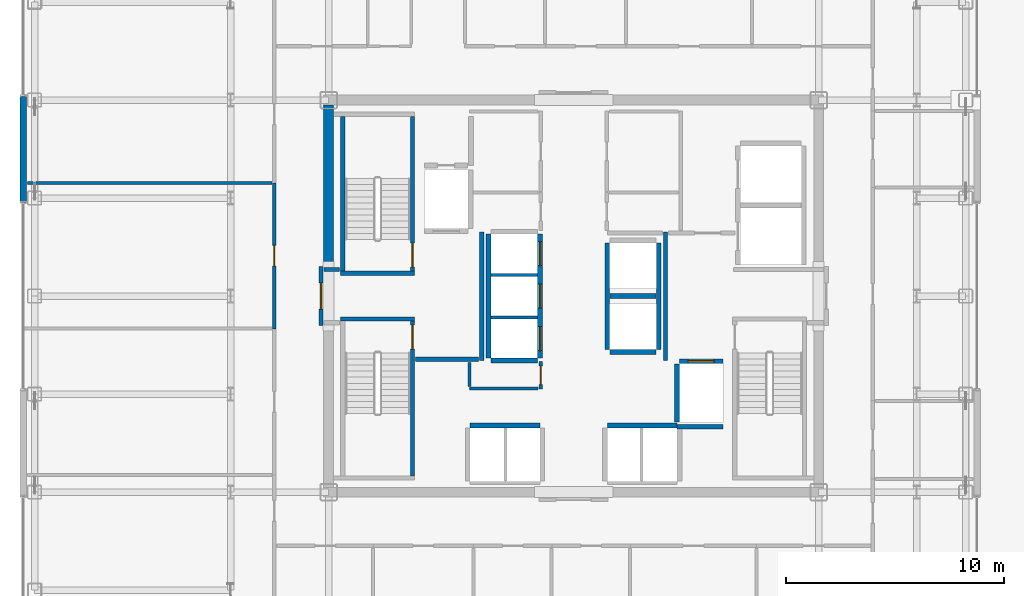
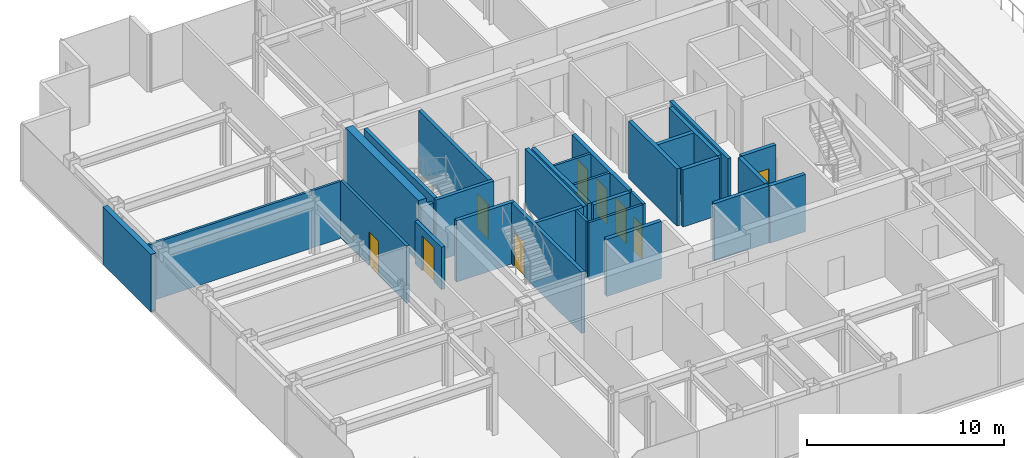
# One storey, part 12 of 17: 31 walls, 9 doors, 9 openings.
"""IFC4 building model written with IfcOpenShell, lengths in metres."""

from ifc_helpers import new_model, si_unit, direction, frame, frame_2d, origin, place, context, subcontext, project, spatial, rectangle, extrude, source, transform, mapped, material, layer, layer_set, type_object, element, fill, save


model = new_model("IFC4")

# Units and contexts
model_context = context("Model", 3, precision=1e-05, world=origin(), true_north=direction((0.0, 1.0)))
body_context = subcontext(model_context, "Body", "Model", "MODEL_VIEW")
ifc_project = project(units=[si_unit("LENGTHUNIT", "METRE"), si_unit("AREAUNIT", "SQUARE_METRE"), si_unit("VOLUMEUNIT", "CUBIC_METRE"), si_unit("PLANEANGLEUNIT", "RADIAN"), si_unit("MASSUNIT", "GRAM", prefix="KILO")], contexts=[model_context])

# Site, building, storey
site_placement = place(None, origin())
site = spatial("IfcSite", under=ifc_project, at=site_placement, CompositionType="ELEMENT")
building_placement = place(site_placement, origin())
building = spatial("IfcBuilding", under=site, at=building_placement, Name="Nefas-Gora Pilgrimage Tower", CompositionType="ELEMENT")
storey_placement = place(building_placement, frame((0.0, 0.0, 264.60009765625)))
storey = spatial("IfcBuildingStorey", under=building, at=storey_placement, Name="L66", CompositionType="ELEMENT", Elevation=264.60009765625)

# Walls
ifc_material_1 = material(Name="Concrete C50/60", Category="concrete")
ifc_layer_1 = layer(ifc_material_1, 0.449951171875)
ifc_layer_set_1 = layer_set([ifc_layer_1], Name="Concrete C50/60")
wall_type_1 = type_object("IfcWallType", Name="SW-CORE-450", PredefinedType="SHEAR", material=ifc_layer_set_1)
shared_shape_1 = source(origin(), body_context, "Body", "SweptSolid", [
    extrude(rectangle(XDim=7.4248046875, YDim=0.449951171875, at=frame_2d((3.71240234375, 0.0))), origin(), (0.0, 0.0, 1.0), 3.7998046875),
])
wall_1_placement = place(storey_placement, frame((-11.25, 1.35009765625, 0.0), z_axis=(0.0, 0.0, 1.0), x_axis=(0.0, 1.0, 0.0)))
element("IfcWall", 1, at=wall_1_placement, inside=storey, type_object=wall_type_1, Name="L66 Core Shear Wall W-North", PredefinedType="SHEAR", context=body_context, shape_type="MappedRepresentation", body=[
    mapped(shared_shape_1, transform((0.0, 0.0, 0.0), x_axis=(1.0, 0.0, 0.0), y_axis=(0.0, 1.0, 0.0), z_axis=(0.0, 0.0, 1.0), scale=1.0)),
])
ifc_material_2 = material(Name="Precast concrete C45/55", Category="concrete")
ifc_layer_2 = layer(ifc_material_2, 0.239990234375)
ifc_layer_set_2 = layer_set([ifc_layer_2], Name="Precast concrete C45/55")
wall_type_2 = type_object("IfcWallType", Name="EW-SERR-240", PredefinedType="SHEAR", material=ifc_layer_set_2)
shared_shape_2 = source(origin(), body_context, "Body", "SweptSolid", [
    extrude(rectangle(XDim=4.8798828125, YDim=0.300048828125, at=frame_2d((2.43994140625, 0.0))), origin(), (0.0, 0.0, 1.0), 3.5498046875),
])
wall_2_placement = place(storey_placement, frame((-25.27001953125, 4.31005859375, 0.0), z_axis=(0.0, 0.0, 1.0), x_axis=(0.0, 1.0, 0.0)))
element("IfcWall", 2, at=wall_2_placement, inside=storey, type_object=wall_type_2, Name="L66 Braced-Tube Precast Shear Cladding 2", PredefinedType="SHEAR", context=body_context, shape_type="MappedRepresentation", body=[
    mapped(shared_shape_2, transform((0.0, 0.0, 0.0), x_axis=(1.0, 0.0, 0.0), y_axis=(0.0, 1.0, 0.0), z_axis=(0.0, 0.0, 1.0), scale=1.0)),
])
ifc_material_3 = material(Name="Concrete C45/55", Category="concrete")
ifc_layer_3 = layer(ifc_material_3, 0.199951171875)
ifc_layer_set_3 = layer_set([ifc_layer_3], Name="Concrete C45/55")
wall_type_3 = type_object("IfcWallType", Name="IW-STAIR-200", PredefinedType="SOLIDWALL", material=ifc_layer_set_3)
shared_shape_3 = source(origin(), body_context, "Body", "SweptSolid", [
    extrude(rectangle(XDim=3.39990234375, YDim=0.199951171875, at=frame_2d((1.699951171875, 0.0))), origin(), (0.0, 0.0, 1.0), 3.7998046875),
])
for number, where, z_axis, x_axis, name in (
    (3, (-7.300048828125, 1.050048828125, 0.0), (0.0, 0.0, 1.0), (-1.0, 0.0, 0.0), "L66 Stairwell Shear Wall ST-01-near"),
    (4, (-10.699951171875, -1.050048828125, 0.0), (0.0, 0.0, 1.0), (1.0, 0.0, 0.0), "L66 Stairwell Shear Wall ST-03-near"),
):
    element("IfcWall", number, at=place(storey_placement, frame(where, z_axis=z_axis, x_axis=x_axis)), inside=storey, type_object=wall_type_3, Name=name, PredefinedType="SOLIDWALL", context=body_context, shape_type="MappedRepresentation", body=[
        mapped(shared_shape_3, transform((0.0, 0.0, 0.0), x_axis=(1.0, 0.0, 0.0), y_axis=(0.0, 1.0, 0.0), z_axis=(0.0, 0.0, 1.0), scale=1.0)),
    ])

# Wall, opening, door
shared_shape_4 = source(origin(), body_context, "Body", "SweptSolid", [
    extrude(rectangle(XDim=7.10009765625, YDim=0.199951171875, at=frame_2d((3.550048828125, 0.0))), origin(), (0.0, 0.0, 1.0), 3.7998046875),
])
wall_3_placement = place(storey_placement, frame((-7.39990234375, 1.14990234375, 0.0), z_axis=(0.0, 0.0, 1.0), x_axis=(0.0, 1.0, 0.0)))
wall_3 = element("IfcWall", 5, at=wall_3_placement, inside=storey, type_object=wall_type_3, Name="L66 Stairwell Shear Wall ST-01-left", PredefinedType="SOLIDWALL", context=body_context, shape_type="MappedRepresentation", body=[
    mapped(shared_shape_4, transform((0.0, 0.0, 0.0), x_axis=(1.0, 0.0, 0.0), y_axis=(0.0, 1.0, 0.0), z_axis=(0.0, 0.0, 1.0), scale=1.0)),
])
opening_1_placement = place(wall_3_placement, frame((0.179931640625, 0.0, 0.0)))
opening_1 = element("IfcOpeningElement", 6, at=opening_1_placement, cuts=wall_3, Name="Opening ID-ST1", PredefinedType="OPENING", context=body_context, shape_type="SweptSolid", body=[
    extrude(rectangle(XDim=1.10009765625, YDim=2.14990234375, at=frame_2d((0.550048828125, 1.074951171875))), frame((0.0, 0.10986328125, 0.0), z_axis=(0.0, -1.0, 0.0), x_axis=(1.0, 0.0, 0.0)), (0.0, 0.0, 1.0), 0.219970703125),
])
ifc_material_4 = material(Name="Painted galvanised steel fire stair door", Category="steel")
door_type_1 = type_object("IfcDoorType", Name="DR-INT-STAIR-1100", OperationType="NOTDEFINED", PredefinedType="DOOR", material=ifc_material_4)
shared_shape_5 = source(origin(), body_context, "Body", "SweptSolid", [
    extrude(rectangle(XDim=1.10009765625, YDim=2.14990234375, at=frame_2d((0.550048828125, 1.074951171875))), frame((0.0, 0.02490234375, 0.0), z_axis=(0.0, -1.0, 0.0), x_axis=(1.0, 0.0, 0.0)), (0.0, 0.0, 1.0), 0.050048828125),
])
door_1_placement = place(opening_1_placement, origin())
door_1 = element("IfcDoor", 7, at=door_1_placement, inside=storey, type_object=door_type_1, Name="L66 Protected Exit Stair Door ST-01", OperationType="SINGLE_SWING_RIGHT", OverallHeight=2.14990234375, OverallWidth=1.10009765625, PredefinedType="DOOR", context=body_context, shape_type="MappedRepresentation", body=[
    mapped(shared_shape_5, transform((0.0, 0.0, 0.0), x_axis=(1.0, 0.0, 0.0), y_axis=(0.0, 1.0, 0.0), z_axis=(0.0, 0.0, 1.0), scale=1.0)),
])
fill(opening_1, door_1)

# Wall
wall_4_placement = place(storey_placement, frame((-10.60009765625, 1.14990234375, 0.0), z_axis=(0.0, 0.0, 1.0), x_axis=(0.0, 1.0, 0.0)))
element("IfcWall", 8, at=wall_4_placement, inside=storey, type_object=wall_type_3, Name="L66 Stairwell Shear Wall ST-01-right", PredefinedType="SOLIDWALL", context=body_context, shape_type="MappedRepresentation", body=[
    mapped(shared_shape_4, transform((0.0, 0.0, 0.0), x_axis=(1.0, 0.0, 0.0), y_axis=(0.0, 1.0, 0.0), z_axis=(0.0, 0.0, 1.0), scale=1.0)),
])

# Wall, opening, door
wall_5_placement = place(storey_placement, frame((-7.39990234375, -1.14990234375, 0.0), z_axis=(0.0, 0.0, 1.0), x_axis=(0.0, -1.0, 0.0)))
wall_5 = element("IfcWall", 9, at=wall_5_placement, inside=storey, type_object=wall_type_3, Name="L66 Stairwell Shear Wall ST-03-right", PredefinedType="SOLIDWALL", context=body_context, shape_type="MappedRepresentation", body=[
    mapped(shared_shape_4, transform((0.0, 0.0, 0.0), x_axis=(1.0, 0.0, 0.0), y_axis=(0.0, 1.0, 0.0), z_axis=(0.0, 0.0, 1.0), scale=1.0)),
])
opening_2_placement = place(wall_5_placement, frame((0.179931640625, 0.0, 0.0)))
opening_2 = element("IfcOpeningElement", 10, at=opening_2_placement, cuts=wall_5, Name="Opening ID-ST1", PredefinedType="OPENING", context=body_context, shape_type="SweptSolid", body=[
    extrude(rectangle(XDim=1.10009765625, YDim=2.14990234375, at=frame_2d((0.550048828125, 1.074951171875))), frame((0.0, 0.10986328125, 0.0), z_axis=(0.0, -1.0, 0.0), x_axis=(1.0, 0.0, 0.0)), (0.0, 0.0, 1.0), 0.219970703125),
])
door_2_placement = place(opening_2_placement, origin())
door_2 = element("IfcDoor", 11, at=door_2_placement, inside=storey, type_object=door_type_1, Name="L66 Protected Exit Stair Door ST-03", OperationType="SINGLE_SWING_RIGHT", OverallHeight=2.14990234375, OverallWidth=1.10009765625, PredefinedType="DOOR", context=body_context, shape_type="MappedRepresentation", body=[
    mapped(shared_shape_5, transform((0.0, 0.0, 0.0), x_axis=(1.0, 0.0, 0.0), y_axis=(0.0, 1.0, 0.0), z_axis=(0.0, 0.0, 1.0), scale=1.0)),
])
fill(opening_2, door_2)

ifc_material_5 = material(Name="Concrete C40/50", Category="concrete")
ifc_layer_4 = layer(ifc_material_5, 0.219970703125)
ifc_layer_set_4 = layer_set([ifc_layer_4], Name="Concrete C40/50")
wall_type_4 = type_object("IfcWallType", Name="IW-SHAFT-220", PredefinedType="SOLIDWALL", material=ifc_layer_set_4)
shared_shape_6 = source(origin(), body_context, "Body", "SweptSolid", [
    extrude(rectangle(XDim=2.0, YDim=0.219970703125, at=frame_2d((1.0, 0.0))), origin(), (0.0, 0.0, 1.0), 3.534912109375),
])
wall_6_placement = place(storey_placement, frame((6.85009765625, -2.989990234375, 0.0), z_axis=(0.0, 0.0, 1.0), x_axis=(-1.0, 0.0, 0.0)))
wall_6 = element("IfcWall", 12, at=wall_6_placement, inside=storey, type_object=wall_type_4, Name="L66 Hoistway Wall FFL-02-N", PredefinedType="SOLIDWALL", context=body_context, shape_type="MappedRepresentation", body=[
    mapped(shared_shape_6, transform((0.0, 0.0, 0.0), x_axis=(1.0, 0.0, 0.0), y_axis=(0.0, 1.0, 0.0), z_axis=(0.0, 0.0, 1.0), scale=1.0)),
])
opening_3_placement = place(wall_6_placement, frame((0.39990234375, 0.0, 0.0)))
opening_3 = element("IfcOpeningElement", 13, at=opening_3_placement, cuts=wall_6, Name="Opening LD-FF", PredefinedType="OPENING", context=body_context, shape_type="SweptSolid", body=[
    extrude(rectangle(XDim=1.199951171875, YDim=2.199951171875, at=frame_2d((0.60009765625, 1.10009765625))), frame((0.0, 0.119873046875, 0.0), z_axis=(0.0, -1.0, 0.0), x_axis=(1.0, 0.0, 0.0)), (0.0, 0.0, 1.0), 0.239990234375),
])
ifc_material_6 = material(Name="Fire-service sliding lift landing door")
door_type_2 = type_object("IfcDoorType", Name="DR-LIFT-FSAE-1200", OperationType="SLIDING_TO_LEFT", PredefinedType="DOOR", material=ifc_material_6)
shared_shape_7 = source(origin(), body_context, "Body", "SweptSolid", [
    extrude(rectangle(XDim=1.199951171875, YDim=2.199951171875, at=frame_2d((0.60009765625, 1.10009765625))), frame((0.0, 0.02490234375, 0.0), z_axis=(0.0, -1.0, 0.0), x_axis=(1.0, 0.0, 0.0)), (0.0, 0.0, 1.0), 0.050048828125),
])
door_3_placement = place(opening_3_placement, origin())
door_3 = element("IfcDoor", 14, at=door_3_placement, inside=storey, type_object=door_type_2, Name="L66 Sliding Lift Landing Door FFL-02", OperationType="SLIDING_TO_LEFT", OverallHeight=2.199951171875, OverallWidth=1.199951171875, PredefinedType="DOOR", context=body_context, shape_type="MappedRepresentation", body=[
    mapped(shared_shape_7, transform((0.0, 0.0, 0.0), x_axis=(1.0, 0.0, 0.0), y_axis=(0.0, 1.0, 0.0), z_axis=(0.0, 0.0, 1.0), scale=1.0)),
])
fill(opening_3, door_3)

# Walls
shared_shape_8 = source(origin(), body_context, "Body", "SweptSolid", [
    extrude(rectangle(XDim=2.679931640625, YDim=0.219970703125, at=frame_2d((1.33984375, 0.0))), origin(), (0.0, 0.0, 1.0), 3.534912109375),
])
wall_7_placement = place(storey_placement, frame((4.739990234375, -3.110107421875, 0.0), z_axis=(0.0, 0.0, 1.0), x_axis=(0.0, -1.0, 0.0)))
element("IfcWall", 15, at=wall_7_placement, inside=storey, type_object=wall_type_4, Name="L66 Hoistway Wall FFL-02-W", PredefinedType="SOLIDWALL", context=body_context, shape_type="MappedRepresentation", body=[
    mapped(shared_shape_8, transform((0.0, 0.0, 0.0), x_axis=(1.0, 0.0, 0.0), y_axis=(0.0, 1.0, 0.0), z_axis=(0.0, 0.0, 1.0), scale=1.0)),
])
shared_shape_9 = source(origin(), body_context, "Body", "SweptSolid", [
    extrude(rectangle(XDim=3.199951171875, YDim=0.219970703125, at=frame_2d((1.60009765625, 0.0))), origin(), (0.0, 0.0, 1.0), 3.534912109375),
])
for number, where, z_axis, x_axis, name in (
    (16, (-1.550048828125, -5.93994140625, 0.0), (0.0, 0.0, 1.0), (-1.0, 0.0, 0.0), "L66 Hoistway Wall PL2-W-N"),
    (17, (4.75, -5.93994140625, 0.0), (0.0, 0.0, 1.0), (-1.0, 0.0, 0.0), "L66 Hoistway Wall PL2-E-N"),
):
    element("IfcWall", number, at=place(storey_placement, frame(where, z_axis=z_axis, x_axis=x_axis)), inside=storey, type_object=wall_type_4, Name=name, PredefinedType="SOLIDWALL", context=body_context, shape_type="MappedRepresentation", body=[
        mapped(shared_shape_9, transform((0.0, 0.0, 0.0), x_axis=(1.0, 0.0, 0.0), y_axis=(0.0, 1.0, 0.0), z_axis=(0.0, 0.0, 1.0), scale=1.0)),
    ])

# Wall, openings, doors
shared_shape_10 = source(origin(), body_context, "Body", "SweptSolid", [
    extrude(rectangle(XDim=5.7001953125, YDim=0.219970703125, at=frame_2d((2.85009765625, 0.0))), origin(), (0.0, 0.0, 1.0), 3.534912109375),
])
wall_8_placement = place(storey_placement, frame((-1.5400390625, -2.85009765625, 0.0), z_axis=(0.0, 0.0, 1.0), x_axis=(0.0, 1.0, 0.0)))
wall_8 = element("IfcWall", 18, at=wall_8_placement, inside=storey, type_object=wall_type_4, Name="L66 Hoistway Wall PL3-01-03-E", PredefinedType="SOLIDWALL", context=body_context, shape_type="MappedRepresentation", body=[
    mapped(shared_shape_10, transform((0.0, 0.0, 0.0), x_axis=(1.0, 0.0, 0.0), y_axis=(0.0, 1.0, 0.0), z_axis=(0.0, 0.0, 1.0), scale=1.0)),
])
opening_4_placement = place(wall_8_placement, frame((0.35009765625, 0.0, 0.0)))
opening_4 = element("IfcOpeningElement", 19, at=opening_4_placement, cuts=wall_8, Name="Opening LD-01", PredefinedType="OPENING", context=body_context, shape_type="SweptSolid", body=[
    extrude(rectangle(XDim=1.10009765625, YDim=2.199951171875, at=frame_2d((0.550048828125, 1.10009765625))), frame((0.0, 0.119873046875, 0.0), z_axis=(0.0, -1.0, 0.0), x_axis=(1.0, 0.0, 0.0)), (0.0, 0.0, 1.0), 0.239990234375),
])
opening_5_placement = place(wall_8_placement, frame((2.300048828125, 0.0, 0.0)))
opening_5 = element("IfcOpeningElement", 20, at=opening_5_placement, cuts=wall_8, Name="Opening LD-01", PredefinedType="OPENING", context=body_context, shape_type="SweptSolid", body=[
    extrude(rectangle(XDim=1.10009765625, YDim=2.199951171875, at=frame_2d((0.550048828125, 1.10009765625))), frame((0.0, 0.119873046875, 0.0), z_axis=(0.0, -1.0, 0.0), x_axis=(1.0, 0.0, 0.0)), (0.0, 0.0, 1.0), 0.239990234375),
])
opening_6_placement = place(wall_8_placement, frame((4.25, 0.0, 0.0)))
opening_6 = element("IfcOpeningElement", 21, at=opening_6_placement, cuts=wall_8, Name="Opening LD-01", PredefinedType="OPENING", context=body_context, shape_type="SweptSolid", body=[
    extrude(rectangle(XDim=1.10009765625, YDim=2.199951171875, at=frame_2d((0.550048828125, 1.10009765625))), frame((0.0, 0.119873046875, 0.0), z_axis=(0.0, -1.0, 0.0), x_axis=(1.0, 0.0, 0.0)), (0.0, 0.0, 1.0), 0.239990234375),
])
ifc_material_7 = material(Name="Brushed stainless sliding lift landing door")
door_type_3 = type_object("IfcDoorType", Name="DR-LIFT-PASS-1100", OperationType="DOUBLE_DOOR_SLIDING", PredefinedType="DOOR", material=ifc_material_7)
shared_shape_11 = source(origin(), body_context, "Body", "SweptSolid", [
    extrude(rectangle(XDim=1.10009765625, YDim=2.199951171875, at=frame_2d((0.550048828125, 1.10009765625))), frame((0.0, 0.02490234375, 0.0), z_axis=(0.0, -1.0, 0.0), x_axis=(1.0, 0.0, 0.0)), (0.0, 0.0, 1.0), 0.050048828125),
])
door_4_placement = place(opening_4_placement, origin())
door_4 = element("IfcDoor", 22, at=door_4_placement, inside=storey, type_object=door_type_3, Name="L66 Sliding Lift Landing Door PL3-01", OperationType="DOUBLE_DOOR_SLIDING", OverallHeight=2.199951171875, OverallWidth=1.10009765625, PredefinedType="DOOR", context=body_context, shape_type="MappedRepresentation", body=[
    mapped(shared_shape_11, transform((0.0, 0.0, 0.0), x_axis=(1.0, 0.0, 0.0), y_axis=(0.0, 1.0, 0.0), z_axis=(0.0, 0.0, 1.0), scale=1.0)),
])
fill(opening_4, door_4)
door_5_placement = place(opening_5_placement, origin())
door_5 = element("IfcDoor", 23, at=door_5_placement, inside=storey, type_object=door_type_3, Name="L66 Sliding Lift Landing Door PL3-02", OperationType="DOUBLE_DOOR_SLIDING", OverallHeight=2.199951171875, OverallWidth=1.10009765625, PredefinedType="DOOR", context=body_context, shape_type="MappedRepresentation", body=[
    mapped(shared_shape_11, transform((0.0, 0.0, 0.0), x_axis=(1.0, 0.0, 0.0), y_axis=(0.0, 1.0, 0.0), z_axis=(0.0, 0.0, 1.0), scale=1.0)),
])
fill(opening_5, door_5)
door_6_placement = place(opening_6_placement, origin())
door_6 = element("IfcDoor", 24, at=door_6_placement, inside=storey, type_object=door_type_3, Name="L66 Sliding Lift Landing Door PL3-03", OperationType="DOUBLE_DOOR_SLIDING", OverallHeight=2.199951171875, OverallWidth=1.10009765625, PredefinedType="DOOR", context=body_context, shape_type="MappedRepresentation", body=[
    mapped(shared_shape_11, transform((0.0, 0.0, 0.0), x_axis=(1.0, 0.0, 0.0), y_axis=(0.0, 1.0, 0.0), z_axis=(0.0, 0.0, 1.0), scale=1.0)),
])
fill(opening_6, door_6)

# Walls
wall_9_placement = place(storey_placement, frame((-3.909912109375, 2.85009765625, 0.0), z_axis=(0.0, 0.0, 1.0), x_axis=(0.0, -1.0, 0.0)))
element("IfcWall", 25, at=wall_9_placement, inside=storey, type_object=wall_type_4, Name="L66 Hoistway Wall PL3-01-03-W", PredefinedType="SOLIDWALL", context=body_context, shape_type="MappedRepresentation", body=[
    mapped(shared_shape_10, transform((0.0, 0.0, 0.0), x_axis=(1.0, 0.0, 0.0), y_axis=(0.0, 1.0, 0.0), z_axis=(0.0, 0.0, 1.0), scale=1.0)),
])
shared_shape_12 = source(origin(), body_context, "Body", "SweptSolid", [
    extrude(rectangle(XDim=2.130126953125, YDim=0.219970703125, at=frame_2d((1.06494140625, 0.0))), origin(), (0.0, 0.0, 1.0), 3.534912109375),
])
for number, where, z_axis, x_axis, name in (
    (26, (-3.7900390625, -2.9599609375, 0.0), (0.0, 0.0, 1.0), (1.0, 0.0, 0.0), "L66 Hoistway Wall PL3-01-S"),
    (27, (1.659912109375, -2.56005859375, 0.0), (0.0, 0.0, 1.0), (1.0, 0.0, 0.0), "L66 Hoistway Wall OBS-01-S"),
    (28, (1.659912109375, 0.0, 0.0), (0.0, 0.0, 1.0), (1.0, 0.0, 0.0), "L66 Hoistway Wall OBS-01-02-DIV"),
):
    element("IfcWall", number, at=place(storey_placement, frame(where, z_axis=z_axis, x_axis=x_axis)), inside=storey, type_object=wall_type_4, Name=name, PredefinedType="SOLIDWALL", context=body_context, shape_type="MappedRepresentation", body=[
        mapped(shared_shape_12, transform((0.0, 0.0, 0.0), x_axis=(1.0, 0.0, 0.0), y_axis=(0.0, 1.0, 0.0), z_axis=(0.0, 0.0, 1.0), scale=1.0)),
    ])
ifc_material_8 = material(Name="Gypsum twin-stud partition")
ifc_layer_5 = layer(ifc_material_8, 0.139892578125)
ifc_layer_set_5 = layer_set([ifc_layer_5], Name="Gypsum twin-stud partition")
wall_type_5 = type_object("IfcWallType", Name="IW-UNIT-140", PredefinedType="PARTITIONING", material=ifc_layer_set_5)
shared_shape_13 = source(origin(), body_context, "Body", "SweptSolid", [
    extrude(rectangle(XDim=2.130126953125, YDim=0.139892578125, at=frame_2d((1.06494140625, 0.0))), origin(), (0.0, 0.0, 1.0), 3.534912109375),
])
for number, where, z_axis, x_axis, name in (
    (29, (-3.7900390625, -0.97509765625, 0.0), (0.0, 0.0, 1.0), (1.0, 0.0, 0.0), "L66 Hoistway Wall PL3-01-02-DIV"),
    (30, (-3.7900390625, 0.97509765625, 0.0), (0.0, 0.0, 1.0), (1.0, 0.0, 0.0), "L66 Hoistway Wall PL3-02-03-DIV"),
):
    element("IfcWall", number, at=place(storey_placement, frame(where, z_axis=z_axis, x_axis=x_axis)), inside=storey, type_object=wall_type_5, Name=name, PredefinedType="PARTITIONING", context=body_context, shape_type="MappedRepresentation", body=[
        mapped(shared_shape_13, transform((0.0, 0.0, 0.0), x_axis=(1.0, 0.0, 0.0), y_axis=(0.0, 1.0, 0.0), z_axis=(0.0, 0.0, 1.0), scale=1.0)),
    ])
shared_shape_14 = source(origin(), body_context, "Body", "SweptSolid", [
    extrude(rectangle(XDim=4.89990234375, YDim=0.219970703125, at=frame_2d((2.449951171875, 0.0))), origin(), (0.0, 0.0, 1.0), 3.534912109375),
])
for number, where, z_axis, x_axis, name in (
    (31, (1.5400390625, 2.449951171875, 0.0), (0.0, 0.0, 1.0), (0.0, -1.0, 0.0), "L66 Hoistway Wall OBS-01-02-W"),
    (32, (3.909912109375, -2.449951171875, 0.0), (0.0, 0.0, 1.0), (0.0, 1.0, 0.0), "L66 Hoistway Wall OBS-01-02-E"),
):
    element("IfcWall", number, at=place(storey_placement, frame(where, z_axis=z_axis, x_axis=x_axis)), inside=storey, type_object=wall_type_4, Name=name, PredefinedType="SOLIDWALL", context=body_context, shape_type="MappedRepresentation", body=[
        mapped(shared_shape_14, transform((0.0, 0.0, 0.0), x_axis=(1.0, 0.0, 0.0), y_axis=(0.0, 1.0, 0.0), z_axis=(0.0, 0.0, 1.0), scale=1.0)),
    ])
shared_shape_15 = source(origin(), body_context, "Body", "SweptSolid", [
    extrude(rectangle(XDim=2.09521484375, YDim=0.219970703125, at=frame_2d((1.047607421875, 0.0))), origin(), (0.0, 0.0, 1.0), 3.534912109375),
])
wall_10_placement = place(storey_placement, frame((4.7548828125, -6.0, 0.0), z_axis=(0.0, 0.0, 1.0), x_axis=(1.0, 0.0, 0.0)))
element("IfcWall", 33, at=wall_10_placement, inside=storey, type_object=wall_type_4, Name="L66 Riser Shaft Wall 3", PredefinedType="SOLIDWALL", context=body_context, shape_type="MappedRepresentation", body=[
    mapped(shared_shape_15, transform((0.0, 0.0, 0.0), x_axis=(1.0, 0.0, 0.0), y_axis=(0.0, 1.0, 0.0), z_axis=(0.0, 0.0, 1.0), scale=1.0)),
])
ifc_material_9 = material(Name="Gypsum fire-rated shaftwall")
ifc_layer_6 = layer(ifc_material_9, 0.199951171875)
ifc_layer_set_6 = layer_set([ifc_layer_6], Name="Gypsum fire-rated shaftwall")
wall_type_6 = type_object("IfcWallType", Name="IW-FFLOB-200", PredefinedType="PARTITIONING", material=ifc_layer_set_6)
shared_shape_16 = source(origin(), body_context, "Body", "SweptSolid", [
    extrude(rectangle(XDim=5.89990234375, YDim=0.199951171875, at=frame_2d((2.949951171875, 0.0))), origin(), (0.0, 0.0, 1.0), 3.534912109375),
])
for number, where, z_axis, x_axis, name in (
    (34, (-4.219970703125, -2.949951171875, 0.0), (0.0, 0.0, 1.0), (0.0, 1.0, 0.0), "L66 FF Lobby West Inner Wall Wall 5"),
    (35, (4.219970703125, -2.949951171875, 0.0), (0.0, 0.0, 1.0), (0.0, 1.0, 0.0), "L66 FF Lobby East Inner Wall Wall 10"),
):
    element("IfcWall", number, at=place(storey_placement, frame(where, z_axis=z_axis, x_axis=x_axis)), inside=storey, type_object=wall_type_6, Name=name, PredefinedType="PARTITIONING", context=body_context, shape_type="MappedRepresentation", body=[
        mapped(shared_shape_16, transform((0.0, 0.0, 0.0), x_axis=(1.0, 0.0, 0.0), y_axis=(0.0, 1.0, 0.0), z_axis=(0.0, 0.0, 1.0), scale=1.0)),
    ])
shared_shape_17 = source(origin(), body_context, "Body", "SweptSolid", [
    extrude(rectangle(XDim=2.89990234375, YDim=0.199951171875, at=frame_2d((1.449951171875, 0.0))), origin(), (0.0, 0.0, 1.0), 3.534912109375),
])
wall_11_placement = place(storey_placement, frame((-7.260009765625, -2.89990234375, 0.0), z_axis=(0.0, 0.0, 1.0), x_axis=(1.0, 0.0, 0.0)))
element("IfcWall", 36, at=wall_11_placement, inside=storey, type_object=wall_type_6, Name="L66 FF Lobby West South Wall Wall 6", PredefinedType="PARTITIONING", context=body_context, shape_type="MappedRepresentation", body=[
    mapped(shared_shape_17, transform((0.0, 0.0, 0.0), x_axis=(1.0, 0.0, 0.0), y_axis=(0.0, 1.0, 0.0), z_axis=(0.0, 0.0, 1.0), scale=1.0)),
])
shared_shape_18 = source(origin(), body_context, "Body", "SweptSolid", [
    extrude(rectangle(XDim=0.719970703125, YDim=0.199951171875, at=frame_2d((0.35986328125, 0.0))), origin(), (0.0, 0.0, 1.0), 3.534912109375),
])
wall_12_placement = place(storey_placement, frame((-11.4599609375, 1.219970703125, 0.0), z_axis=(0.0, 0.0, 1.0), x_axis=(1.0, 0.0, 0.0)))
element("IfcWall", 37, at=wall_12_placement, inside=storey, type_object=wall_type_6, Name="L66 FF Lobby West Throat N Wall 7", PredefinedType="PARTITIONING", context=body_context, shape_type="MappedRepresentation", body=[
    mapped(shared_shape_18, transform((0.0, 0.0, 0.0), x_axis=(1.0, 0.0, 0.0), y_axis=(0.0, 1.0, 0.0), z_axis=(0.0, 0.0, 1.0), scale=1.0)),
])

# Wall, opening, door
ifc_material_10 = material(Name="Gypsum acoustic stud partition")
ifc_layer_7 = layer(ifc_material_10, 0.159912109375)
ifc_layer_set_7 = layer_set([ifc_layer_7], Name="Gypsum acoustic stud partition")
wall_type_7 = type_object("IfcWallType", Name="IW-CORR-160", PredefinedType="PARTITIONING", material=ifc_layer_set_7)
shared_shape_19 = source(origin(), body_context, "Body", "SweptSolid", [
    extrude(rectangle(XDim=1.25, YDim=0.159912109375, at=frame_2d((0.625, 0.0))), origin(), (0.0, 0.0, 1.0), 3.534912109375),
])
wall_13_placement = place(storey_placement, frame((-1.52001953125, -4.260009765625, 0.0), z_axis=(0.0, 0.0, 1.0), x_axis=(0.0, 1.0, 0.0)))
wall_13 = element("IfcWall", 38, at=wall_13_placement, inside=storey, type_object=wall_type_7, Name="L66 Guest Self-Service Laundry Room Wall 26", PredefinedType="PARTITIONING", context=body_context, shape_type="MappedRepresentation", body=[
    mapped(shared_shape_19, transform((0.0, 0.0, 0.0), x_axis=(1.0, 0.0, 0.0), y_axis=(0.0, 1.0, 0.0), z_axis=(0.0, 0.0, 1.0), scale=1.0)),
])
opening_7_placement = place(wall_13_placement, frame((0.199951171875, 0.0, 0.0)))
opening_7 = element("IfcOpeningElement", 39, at=opening_7_placement, cuts=wall_13, Name="Opening ID-BT1", PredefinedType="OPENING", context=body_context, shape_type="SweptSolid", body=[
    extrude(rectangle(XDim=0.85009765625, YDim=2.10009765625, at=frame_2d((0.425048828125, 1.050048828125))), frame((0.0, 0.08984375, 0.0), z_axis=(0.0, -1.0, 0.0), x_axis=(1.0, 0.0, 0.0)), (0.0, 0.0, 1.0), 0.179931640625),
])
ifc_material_11 = material(Name="Moisture-resistant fire-rated timber door", Category="wood")
door_type_4 = type_object("IfcDoorType", Name="DR-INT-BATH-850", OperationType="NOTDEFINED", PredefinedType="DOOR", material=ifc_material_11)
shared_shape_20 = source(origin(), body_context, "Body", "SweptSolid", [
    extrude(rectangle(XDim=0.85009765625, YDim=2.10009765625, at=frame_2d((0.425048828125, 1.050048828125))), frame((0.0, 0.02490234375, 0.0), z_axis=(0.0, -1.0, 0.0), x_axis=(1.0, 0.0, 0.0)), (0.0, 0.0, 1.0), 0.050048828125),
])
door_7_placement = place(opening_7_placement, origin())
door_7 = element("IfcDoor", 40, at=door_7_placement, inside=storey, type_object=door_type_4, Name="L66 Guest Self-Service Laundry Room Door 11", OperationType="SINGLE_SWING_LEFT", OverallHeight=2.10009765625, OverallWidth=0.85009765625, PredefinedType="DOOR", context=body_context, shape_type="MappedRepresentation", body=[
    mapped(shared_shape_20, transform((0.0, 0.0, 0.0), x_axis=(1.0, 0.0, 0.0), y_axis=(0.0, 1.0, 0.0), z_axis=(0.0, 0.0, 1.0), scale=1.0)),
])
fill(opening_7, door_7)

# Walls
shared_shape_21 = source(origin(), body_context, "Body", "SweptSolid", [
    extrude(rectangle(XDim=3.150146484375, YDim=0.139892578125, at=frame_2d((1.5751953125, 0.0))), origin(), (0.0, 0.0, 1.0), 3.534912109375),
])
wall_14_placement = place(storey_placement, frame((-4.7900390625, -4.25, 0.0), z_axis=(0.0, 0.0, 1.0), x_axis=(1.0, 0.0, 0.0)))
element("IfcWall", 41, at=wall_14_placement, inside=storey, type_object=wall_type_5, Name="L66 Guest Self-Service Laundry Room Partition Wall 27", PredefinedType="PARTITIONING", context=body_context, shape_type="MappedRepresentation", body=[
    mapped(shared_shape_21, transform((0.0, 0.0, 0.0), x_axis=(1.0, 0.0, 0.0), y_axis=(0.0, 1.0, 0.0), z_axis=(0.0, 0.0, 1.0), scale=1.0)),
])
shared_shape_22 = source(origin(), body_context, "Body", "SweptSolid", [
    extrude(rectangle(XDim=1.099853515625, YDim=0.139892578125, at=frame_2d((0.5498046875, 0.0))), origin(), (0.0, 0.0, 1.0), 3.534912109375),
])
wall_15_placement = place(storey_placement, frame((-4.780029296875, -4.139892578125, 0.0), z_axis=(0.0, 0.0, 1.0), x_axis=(0.0, 1.0, 0.0)))
element("IfcWall", 42, at=wall_15_placement, inside=storey, type_object=wall_type_5, Name="L66 Guest Self-Service Laundry Room Partition Wall 28", PredefinedType="PARTITIONING", context=body_context, shape_type="MappedRepresentation", body=[
    mapped(shared_shape_22, transform((0.0, 0.0, 0.0), x_axis=(1.0, 0.0, 0.0), y_axis=(0.0, 1.0, 0.0), z_axis=(0.0, 0.0, 1.0), scale=1.0)),
])
shared_shape_23 = source(origin(), body_context, "Body", "SweptSolid", [
    extrude(rectangle(XDim=11.219970703125, YDim=0.139892578125, at=frame_2d((5.60986328125, 0.0))), origin(), (0.0, 0.0, 1.0), 3.534912109375),
])
wall_16_placement = place(storey_placement, frame((-25.080078125, 5.195068359375, 0.0), z_axis=(0.0, 0.0, 1.0), x_axis=(1.0, 0.0, 0.0)))
element("IfcWall", 43, at=wall_16_placement, inside=storey, type_object=wall_type_5, Name="L66 Pilgrim Fellowship Seminar Room Partition Wall 35", PredefinedType="PARTITIONING", context=body_context, shape_type="MappedRepresentation", body=[
    mapped(shared_shape_23, transform((0.0, 0.0, 0.0), x_axis=(1.0, 0.0, 0.0), y_axis=(0.0, 1.0, 0.0), z_axis=(0.0, 0.0, 1.0), scale=1.0)),
])

# Wall, opening, door
shared_shape_24 = source(origin(), body_context, "Body", "SweptSolid", [
    extrude(rectangle(XDim=6.705078125, YDim=0.159912109375, at=frame_2d((3.3525390625, 0.0))), origin(), (0.0, 0.0, 1.0), 3.534912109375),
])
wall_17_placement = place(storey_placement, frame((-13.739990234375, -1.5, 0.0), z_axis=(0.0, 0.0, 1.0), x_axis=(0.0, 1.0, 0.0)))
wall_17 = element("IfcWall", 44, at=wall_17_placement, inside=storey, type_object=wall_type_7, Name="L66 Pilgrim Fellowship Seminar Room Partition Wall 34", PredefinedType="PARTITIONING", context=body_context, shape_type="MappedRepresentation", body=[
    mapped(shared_shape_24, transform((0.0, 0.0, 0.0), x_axis=(1.0, 0.0, 0.0), y_axis=(0.0, 1.0, 0.0), z_axis=(0.0, 0.0, 1.0), scale=1.0)),
])
opening_8_placement = place(wall_17_placement, frame((2.87744140625, 0.0, 0.0)))
opening_8 = element("IfcOpeningElement", 45, at=opening_8_placement, cuts=wall_17, Name="Opening ID-GR1", PredefinedType="OPENING", context=body_context, shape_type="SweptSolid", body=[
    extrude(rectangle(XDim=0.949951171875, YDim=2.10009765625, at=frame_2d((0.47509765625, 1.050048828125))), frame((0.0, 0.08984375, 0.0), z_axis=(0.0, -1.0, 0.0), x_axis=(1.0, 0.0, 0.0)), (0.0, 0.0, 1.0), 0.179931640625),
])
ifc_material_12 = material(Name="Solid core oak fire-rated guest entrance door")
door_type_5 = type_object("IfcDoorType", Name="DR-INT-GUEST-950", OperationType="NOTDEFINED", PredefinedType="DOOR", material=ifc_material_12)
shared_shape_25 = source(origin(), body_context, "Body", "SweptSolid", [
    extrude(rectangle(XDim=0.949951171875, YDim=2.10009765625, at=frame_2d((0.47509765625, 1.050048828125))), frame((0.0, 0.02490234375, 0.0), z_axis=(0.0, -1.0, 0.0), x_axis=(1.0, 0.0, 0.0)), (0.0, 0.0, 1.0), 0.050048828125),
])
door_8_placement = place(opening_8_placement, origin())
door_8 = element("IfcDoor", 46, at=door_8_placement, inside=storey, type_object=door_type_5, Name="L66 Pilgrim Fellowship Seminar Room Door 14", OperationType="SINGLE_SWING_RIGHT", OverallHeight=2.10009765625, OverallWidth=0.949951171875, PredefinedType="DOOR", context=body_context, shape_type="MappedRepresentation", body=[
    mapped(shared_shape_25, transform((0.0, 0.0, 0.0), x_axis=(1.0, 0.0, 0.0), y_axis=(0.0, 1.0, 0.0), z_axis=(0.0, 0.0, 1.0), scale=1.0)),
])
fill(opening_8, door_8)

shared_shape_26 = source(origin(), body_context, "Body", "SweptSolid", [
    extrude(rectangle(XDim=2.7001953125, YDim=0.199951171875, at=frame_2d((1.35009765625, 0.0))), origin(), (0.0, 0.0, 1.0), 2.625),
])
wall_18_placement = place(storey_placement, frame((-11.60009765625, -1.35009765625, 0.0), z_axis=(0.0, 0.0, 1.0), x_axis=(0.0, 1.0, 0.0)))
wall_18 = element("IfcWall", 47, at=wall_18_placement, inside=storey, type_object=wall_type_6, Name="L66 FF Lobby West Portal Wall 4", PredefinedType="PARTITIONING", context=body_context, shape_type="MappedRepresentation", body=[
    mapped(shared_shape_26, transform((0.0, 0.0, 0.0), x_axis=(1.0, 0.0, 0.0), y_axis=(0.0, 1.0, 0.0), z_axis=(0.0, 0.0, 1.0), scale=1.0)),
])
opening_9_placement = place(wall_18_placement, frame((0.75, 0.0, 0.0)))
opening_9 = element("IfcOpeningElement", 48, at=opening_9_placement, cuts=wall_18, Name="Opening ID-FF1", PredefinedType="OPENING", context=body_context, shape_type="SweptSolid", body=[
    extrude(rectangle(XDim=1.199951171875, YDim=2.14990234375, at=frame_2d((0.60009765625, 1.074951171875))), frame((0.0, 0.10986328125, 0.0), z_axis=(0.0, -1.0, 0.0), x_axis=(1.0, 0.0, 0.0)), (0.0, 0.0, 1.0), 0.219970703125),
])
ifc_material_13 = material(Name="Smoke-sealed steel firefighting lobby door", Category="steel")
door_type_6 = type_object("IfcDoorType", Name="DR-INT-FFLOB-1200", OperationType="NOTDEFINED", PredefinedType="DOOR", material=ifc_material_13)
shared_shape_27 = source(origin(), body_context, "Body", "SweptSolid", [
    extrude(rectangle(XDim=1.199951171875, YDim=2.14990234375, at=frame_2d((0.60009765625, 1.074951171875))), frame((0.0, 0.02490234375, 0.0), z_axis=(0.0, -1.0, 0.0), x_axis=(1.0, 0.0, 0.0)), (0.0, 0.0, 1.0), 0.050048828125),
])
door_9_placement = place(opening_9_placement, origin())
door_9 = element("IfcDoor", 49, at=door_9_placement, inside=storey, type_object=door_type_6, Name="L66 FF Lobby West Portal Door 2", OperationType="SINGLE_SWING_RIGHT", OverallHeight=2.14990234375, OverallWidth=1.199951171875, PredefinedType="DOOR", context=body_context, shape_type="MappedRepresentation", body=[
    mapped(shared_shape_27, transform((0.0, 0.0, 0.0), x_axis=(1.0, 0.0, 0.0), y_axis=(0.0, 1.0, 0.0), z_axis=(0.0, 0.0, 1.0), scale=1.0)),
])
fill(opening_9, door_9)

save(model, "model.ifc")
